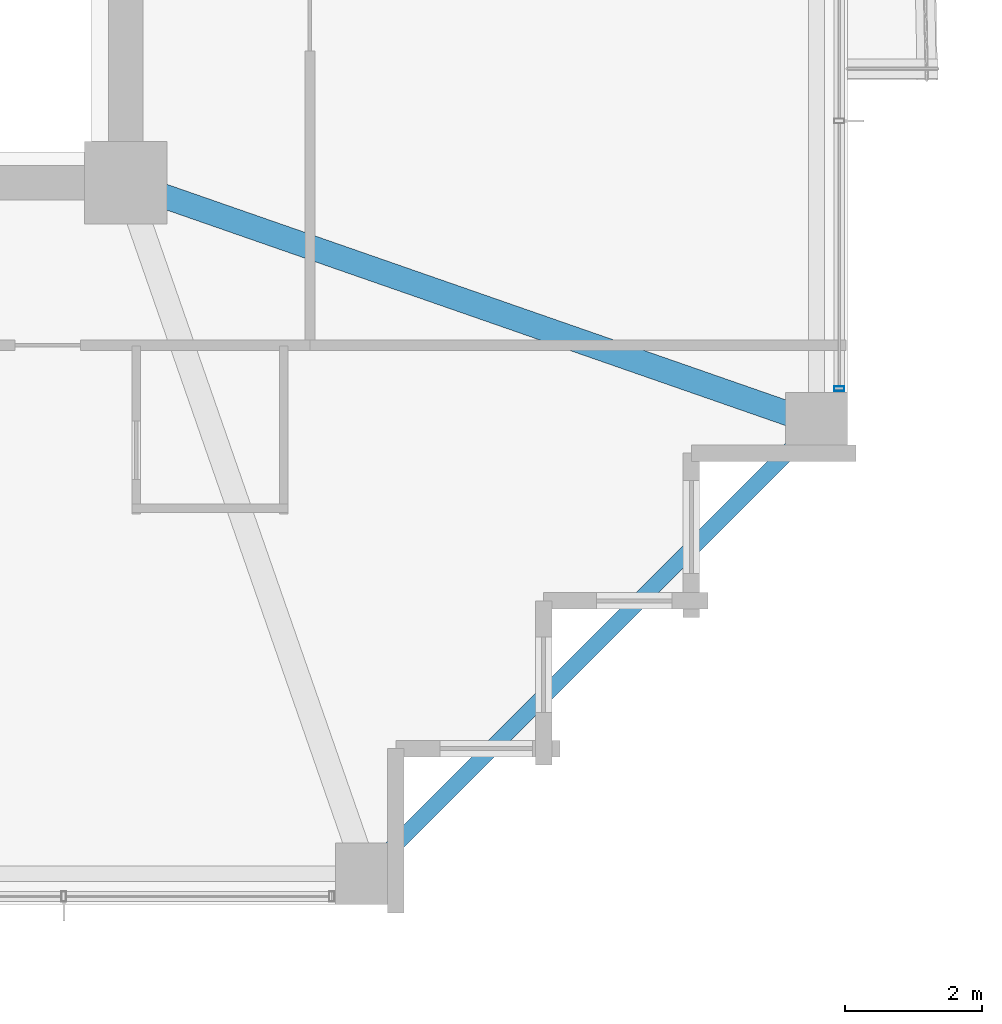
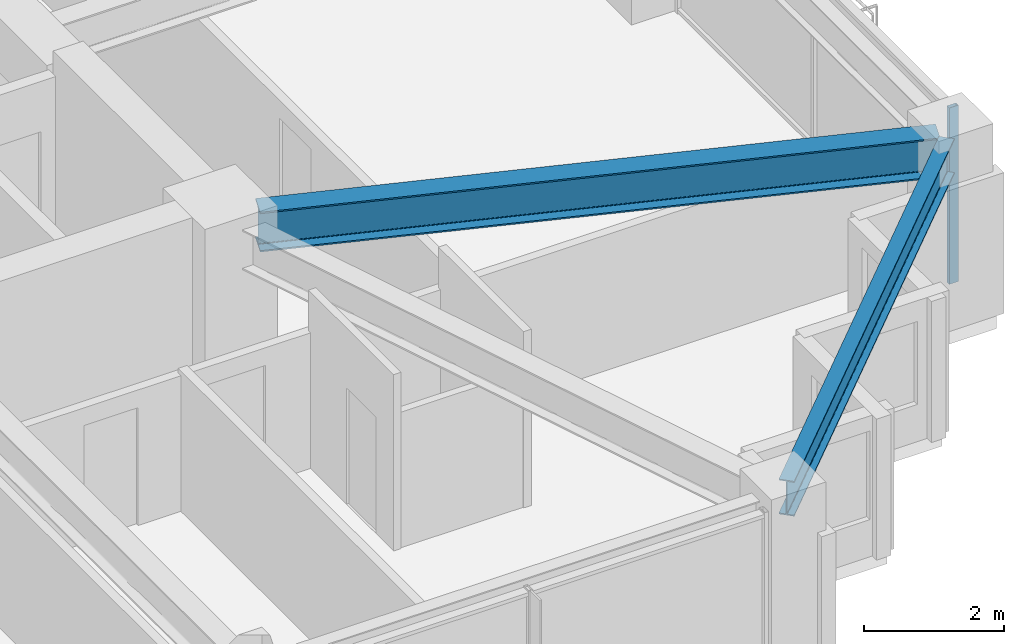
# One storey, part 11 of 35: 2 beams, 1 member, 1 element without a shape of its own.
"""IFC4 building model written with IfcOpenShell, lengths in metres."""

from ifc_helpers import new_model, si_unit, direction, frame, origin, origin_2d, place, context, subcontext, project, spatial, hollow_rectangle, i_section, extrude, material, material_profile, profile_set, type_object, element, aggregate, save


model = new_model("IFC4")

# Units and contexts
model_context = context("Model", 3, precision=1e-05, world=origin(), true_north=direction((0.0, 1.0)))
body_context = subcontext(model_context, "Body", "Model", "MODEL_VIEW")
ifc_project = project(units=[si_unit("LENGTHUNIT", "METRE"), si_unit("AREAUNIT", "SQUARE_METRE"), si_unit("VOLUMEUNIT", "CUBIC_METRE"), si_unit("PLANEANGLEUNIT", "RADIAN"), si_unit("MASSUNIT", "GRAM", prefix="KILO")], contexts=[model_context])

# Site, building, storey
site_placement = place(None, origin())
site = spatial("IfcSite", under=ifc_project, at=site_placement, CompositionType="ELEMENT")
building_placement = place(site_placement, origin())
building = spatial("IfcBuilding", under=site, at=building_placement, Name="Kolvaren Belvedere", CompositionType="ELEMENT")
storey_placement = place(building_placement, frame((0.0, 0.0, 176.699951171875)))
storey = spatial("IfcBuildingStorey", under=building, at=storey_placement, Name="L51", CompositionType="ELEMENT", Elevation=176.699951171875)

# Beams
ifc_material_1 = material(Name="Structural steel ASTM A992 Grade 50", Category="steel")
ifc_material_profile_1 = material_profile(ifc_material_1, i_section(OverallWidth=0.35498046875, OverallDepth=0.696044921875, WebThickness=0.015380859375, FlangeThickness=0.02490234375, FilletRadius=0.02197265625, at=origin_2d()), Name="W27X146")
ifc_profile_set_1 = profile_set([ifc_material_profile_1], Name="Structural steel ASTM A992 Grade 50")
beam_type_1 = type_object("IfcBeamType", Name="BM-GIRD-W27X146", PredefinedType="BEAM", material=ifc_profile_set_1)
beam_1_placement = place(storey_placement, frame((10.41943359375, -10.080810546875, 2.73193359375), z_axis=(0.944366798861, -0.328894130701, 0.0), x_axis=(0.328894130701, 0.944366798861, 0.0)))
element("IfcBeam", 1, at=beam_1_placement, inside=storey, type_object=beam_type_1, Name="L51 Corner Core-to-Perimeter Girder CC2-E1", PredefinedType="BEAM", context=body_context, shape_type="SweptSolid", body=[
    extrude(i_section(OverallWidth=0.35498046875, OverallDepth=0.696044921875, WebThickness=0.015380859375, FlangeThickness=0.02490234375, FilletRadius=0.02197265625, at=origin_2d()), origin(), (0.0, 0.0, 1.0), 9.912109375),
])
ifc_material_2 = material(Name="Structural steel ASTM A992 Grade 50", Category="steel")
ifc_material_profile_2 = material_profile(ifc_material_2, i_section(OverallWidth=0.22900390625, OverallDepth=0.612060546875, WebThickness=0.011962890625, FlangeThickness=0.01953125, FilletRadius=0.01806640625, at=origin_2d()), Name="W24X84")
ifc_profile_set_2 = profile_set([ifc_material_profile_2], Name="Structural steel ASTM A992 Grade 50")
beam_type_2 = type_object("IfcBeamType", Name="BM-SPAN-W24X84", PredefinedType="SPANDREL", material=ifc_profile_set_2)
beam_2_placement = place(storey_placement, frame((13.543212890625, -19.806884765625, 2.774169921875), z_axis=(0.707106781187, 0.707106781187, 0.0), x_axis=(-0.707106781187, 0.707106781187, 0.0)))
element("IfcBeam", 2, at=beam_2_placement, inside=storey, type_object=beam_type_2, Name="L51 Perimeter Spandrel S4-E1", PredefinedType="SPANDREL", context=body_context, shape_type="SweptSolid", body=[
    extrude(i_section(OverallWidth=0.22900390625, OverallDepth=0.612060546875, WebThickness=0.011962890625, FlangeThickness=0.01953125, FilletRadius=0.01806640625, at=origin_2d()), origin(), (0.0, 0.0, 1.0), 8.858154296875),
])

# Curtain wall, member
ifc_material_3 = material(Name="Anodised pale-metal aluminium AA 6063-T6", Category="aluminium")
curtain_wall_type = type_object("IfcCurtainWallType", Name="CW-Z5-HIGH", PredefinedType="NOTDEFINED", material=ifc_material_3)
curtain_wall_placement = place(storey_placement, origin())
curtain_wall = element("IfcCurtainWall", 3, at=curtain_wall_placement, inside=storey, type_object=curtain_wall_type, Name="L51 Unitised Curtain Wall FCW-L51-E2-B2", PredefinedType="NOTDEFINED")
ifc_material_4 = material(Name="Anodised pale-metal aluminium AA 6063-T6", Category="aluminium")
ifc_material_profile_3 = material_profile(ifc_material_4, hollow_rectangle(XDim=0.070068359375, YDim=0.14990234375, WallThickness=0.004150390625, at=origin_2d()), Name="ALU-MUL-150X70")
ifc_profile_set_3 = profile_set([ifc_material_profile_3], Name="Anodised pale-metal aluminium AA 6063-T6")
member_type = type_object("IfcMemberType", Name="CW-MUL-150", PredefinedType="MULLION", material=ifc_profile_set_3)
member_placement = place(storey_placement, frame((20.280029296875, -12.89501953125, 0.0), z_axis=(0.0, 0.0, 1.0), x_axis=(0.0, 1.0, 0.0)))
member = element("IfcMember", 4, at=member_placement, type_object=member_type, Name="FCW-L51-E2-B2 Unitised Mullion 3", PredefinedType="MULLION", context=body_context, shape_type="SweptSolid", body=[
    extrude(hollow_rectangle(XDim=0.070068359375, YDim=0.14990234375, WallThickness=0.004150390625, at=origin_2d()), origin(), (0.0, 0.0, 1.0), 3.080078125),
])
aggregate(curtain_wall, [member])

save(model, "model.ifc")
